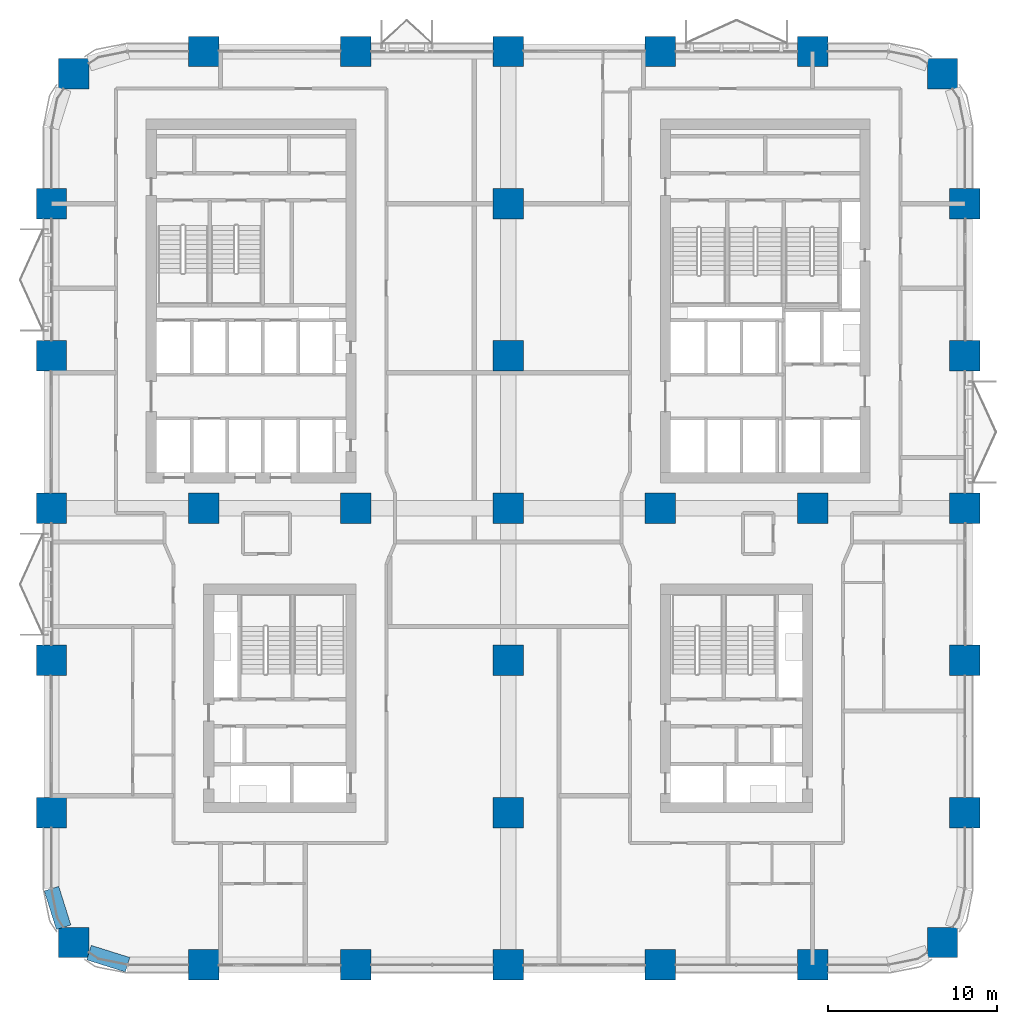
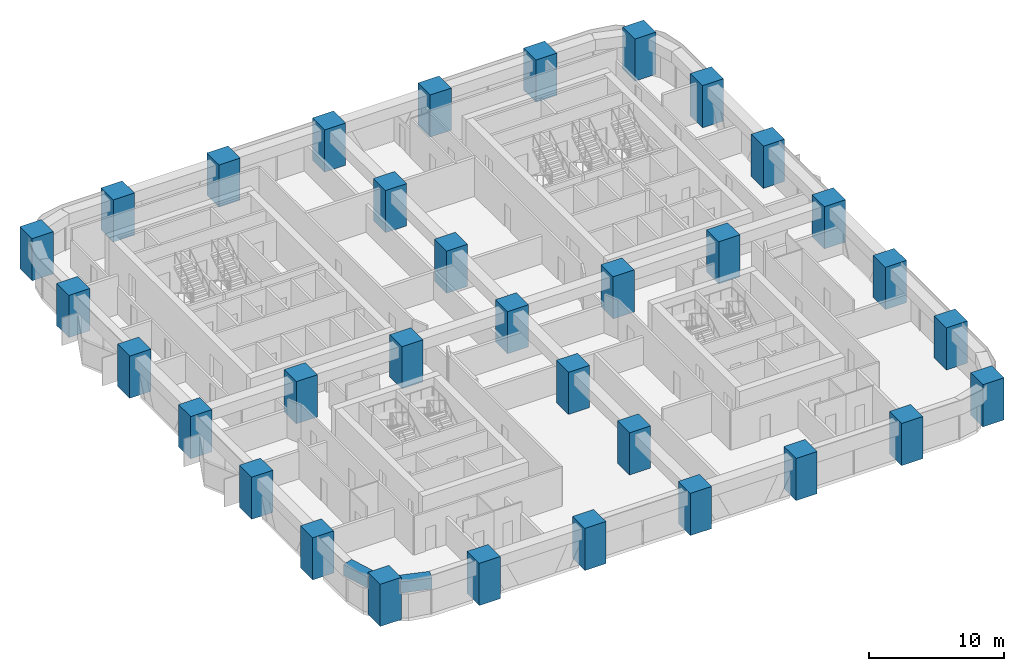
# One storey, part 1 of 21: 33 columns, 2 beams.
"""IFC4 building model written with IfcOpenShell, lengths in metres."""

from ifc_helpers import new_model, si_unit, direction, frame, origin, origin_2d, place, context, subcontext, project, spatial, rectangle, extrude, material, material_profile, profile_set, type_object, element, save


model = new_model("IFC4")

# Units and contexts
model_context = context("Model", 3, precision=1e-05, world=origin(), true_north=direction((0.0, 1.0)))
body_context = subcontext(model_context, "Body", "Model", "MODEL_VIEW")
ifc_project = project(units=[si_unit("LENGTHUNIT", "METRE"), si_unit("AREAUNIT", "SQUARE_METRE"), si_unit("VOLUMEUNIT", "CUBIC_METRE"), si_unit("PLANEANGLEUNIT", "RADIAN"), si_unit("MASSUNIT", "GRAM", prefix="KILO")], contexts=[model_context])

# Site, building, storey
site_placement = place(None, origin())
site = spatial("IfcSite", under=ifc_project, at=site_placement, CompositionType="ELEMENT")
building_placement = place(site_placement, origin())
building = spatial("IfcBuilding", under=site, at=building_placement, Name="Tessera Arch", CompositionType="ELEMENT")
storey_placement = place(building_placement, frame((0.0, 0.0, 42.39990234375)))
storey = spatial("IfcBuildingStorey", under=building, at=storey_placement, Name="L08", CompositionType="ELEMENT", Elevation=42.39990234375)

# Columns
ifc_material_1 = material(Name="Concrete C80/95", Category="concrete")
ifc_material_profile_1 = material_profile(ifc_material_1, rectangle(XDim=1.800048828125, YDim=1.800048828125, at=origin_2d()), Name="RC column 1800 x 1800 Concrete C80/95")
ifc_profile_set_1 = profile_set([ifc_material_profile_1], Name="Concrete C80/95")
column_type = type_object("IfcColumnType", Name="RC column 1800 x 1800 Concrete C80/95", PredefinedType="COLUMN", material=ifc_profile_set_1)
for number, where, z_axis, x_axis, name in (
    (1, (1.318115234375, 1.318115234375, 0.0), (0.0, 0.0, 1.0), (1.0, 0.0, 0.0), "Column C1A L08"),
    (2, (0.0, 9.0, 0.0), (0.0, 0.0, 1.0), (1.0, 0.0, 0.0), "Column C1B L08"),
    (3, (0.0, 18.0, 0.0), (0.0, 0.0, 1.0), (1.0, 0.0, 0.0), "Column C1C L08"),
    (4, (0.0, 27.0, 0.0), (0.0, 0.0, 1.0), (1.0, 0.0, 0.0), "Column C1D L08"),
    (5, (0.0, 36.0, 0.0), (0.0, 0.0, 1.0), (1.0, 0.0, 0.0), "Column C1E L08"),
    (6, (0.0, 45.0, 0.0), (0.0, 0.0, 1.0), (1.0, 0.0, 0.0), "Column C1F L08"),
    (7, (1.318115234375, 52.681884765625, 0.0), (0.0, 0.0, 1.0), (1.0, 0.0, 0.0), "Column C1G L08"),
    (8, (9.0, 0.0, 0.0), (0.0, 0.0, 1.0), (1.0, 0.0, 0.0), "Column C2A L08"),
    (9, (9.0, 27.0, 0.0), (0.0, 0.0, 1.0), (1.0, 0.0, 0.0), "Column C2D L08"),
    (10, (9.0, 54.0, 0.0), (0.0, 0.0, 1.0), (1.0, 0.0, 0.0), "Column C2G L08"),
    (11, (18.0, 0.0, 0.0), (0.0, 0.0, 1.0), (1.0, 0.0, 0.0), "Column C3A L08"),
    (12, (18.0, 27.0, 0.0), (0.0, 0.0, 1.0), (1.0, 0.0, 0.0), "Column C3D L08"),
    (13, (18.0, 54.0, 0.0), (0.0, 0.0, 1.0), (1.0, 0.0, 0.0), "Column C3G L08"),
    (14, (27.0, 0.0, 0.0), (0.0, 0.0, 1.0), (1.0, 0.0, 0.0), "Column C4A L08"),
    (15, (27.0, 9.0, 0.0), (0.0, 0.0, 1.0), (1.0, 0.0, 0.0), "Column C4B L08"),
    (16, (27.0, 18.0, 0.0), (0.0, 0.0, 1.0), (1.0, 0.0, 0.0), "Column C4C L08"),
    (17, (27.0, 27.0, 0.0), (0.0, 0.0, 1.0), (1.0, 0.0, 0.0), "Column C4D L08"),
    (18, (27.0, 36.0, 0.0), (0.0, 0.0, 1.0), (1.0, 0.0, 0.0), "Column C4E L08"),
    (19, (27.0, 45.0, 0.0), (0.0, 0.0, 1.0), (1.0, 0.0, 0.0), "Column C4F L08"),
    (20, (27.0, 54.0, 0.0), (0.0, 0.0, 1.0), (1.0, 0.0, 0.0), "Column C4G L08"),
    (21, (36.0, 0.0, 0.0), (0.0, 0.0, 1.0), (1.0, 0.0, 0.0), "Column C5A L08"),
    (22, (36.0, 27.0, 0.0), (0.0, 0.0, 1.0), (1.0, 0.0, 0.0), "Column C5D L08"),
    (23, (36.0, 54.0, 0.0), (0.0, 0.0, 1.0), (1.0, 0.0, 0.0), "Column C5G L08"),
    (24, (45.0, 0.0, 0.0), (0.0, 0.0, 1.0), (1.0, 0.0, 0.0), "Column C6A L08"),
    (25, (45.0, 27.0, 0.0), (0.0, 0.0, 1.0), (1.0, 0.0, 0.0), "Column C6D L08"),
    (26, (45.0, 54.0, 0.0), (0.0, 0.0, 1.0), (1.0, 0.0, 0.0), "Column C6G L08"),
    (27, (52.681884765625, 1.318115234375, 0.0), (0.0, 0.0, 1.0), (1.0, 0.0, 0.0), "Column C7A L08"),
    (28, (54.0, 9.0, 0.0), (0.0, 0.0, 1.0), (1.0, 0.0, 0.0), "Column C7B L08"),
    (29, (54.0, 18.0, 0.0), (0.0, 0.0, 1.0), (1.0, 0.0, 0.0), "Column C7C L08"),
    (30, (54.0, 27.0, 0.0), (0.0, 0.0, 1.0), (1.0, 0.0, 0.0), "Column C7D L08"),
    (31, (54.0, 36.0, 0.0), (0.0, 0.0, 1.0), (1.0, 0.0, 0.0), "Column C7E L08"),
    (32, (54.0, 45.0, 0.0), (0.0, 0.0, 1.0), (1.0, 0.0, 0.0), "Column C7F L08"),
    (33, (52.681884765625, 52.681884765625, 0.0), (0.0, 0.0, 1.0), (1.0, 0.0, 0.0), "Column C7G L08"),
):
    element("IfcColumn", number, at=place(storey_placement, frame(where, z_axis=z_axis, x_axis=x_axis)), inside=storey, type_object=column_type, Name=name, PredefinedType="COLUMN", context=body_context, shape_type="SweptSolid", body=[
        extrude(rectangle(XDim=1.800048828125, YDim=1.800048828125, at=origin_2d()), origin(), (0.0, 0.0, 1.0), 3.800048828125),
    ])

# Beams
ifc_material_2 = material(Name="Concrete C80/95", Category="concrete")
ifc_material_profile_2 = material_profile(ifc_material_2, rectangle(XDim=0.89990234375, YDim=1.0, at=origin_2d()), Name="RC spandrel beam 900 x 1000 Concrete C80/95")
ifc_profile_set_2 = profile_set([ifc_material_profile_2], Name="Concrete C80/95")
beam_type = type_object("IfcBeamType", Name="RC spandrel beam 900 x 1000 Concrete C80/95", PredefinedType="BEAM", material=ifc_profile_set_2)
for number, where, z_axis, x_axis, name in (
    (34, (0.0, 4.5, 3.0), (0.299675309057, -0.954041251279, 0.0), (0.954041251279, 0.299675309057, 0.0), "Spandrel beam L08 W0.0/5.2"),
    (35, (2.218017578125, 0.716796875, 3.0), (0.954041251279, -0.299675309057, 0.0), (0.299675309057, 0.954041251279, 0.0), "Spandrel beam L08 S0.0/5.1"),
):
    element("IfcBeam", number, at=place(storey_placement, frame(where, z_axis=z_axis, x_axis=x_axis)), inside=storey, type_object=beam_type, Name=name, PredefinedType="BEAM", context=body_context, shape_type="SweptSolid", body=[
        extrude(rectangle(XDim=0.89990234375, YDim=1.0, at=origin_2d()), origin(), (0.0, 0.0, 1.0), 2.391845703125),
    ])

save(model, "model.ifc")
